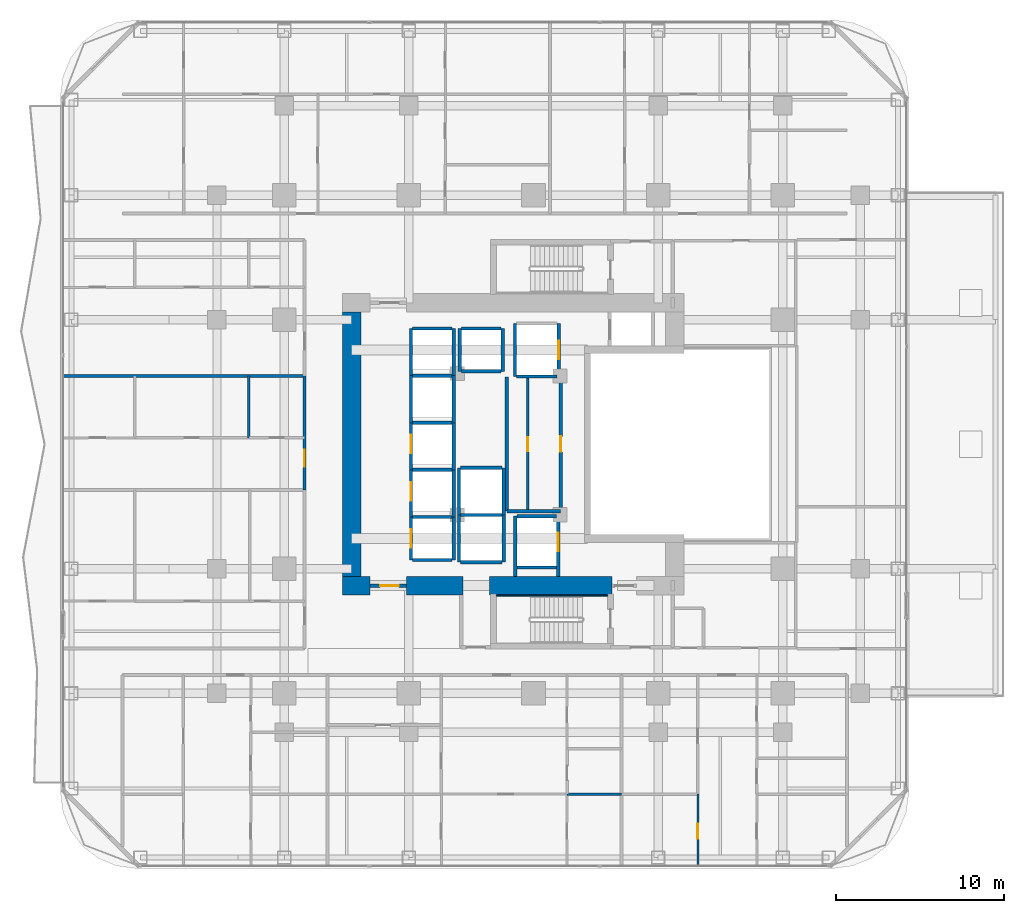
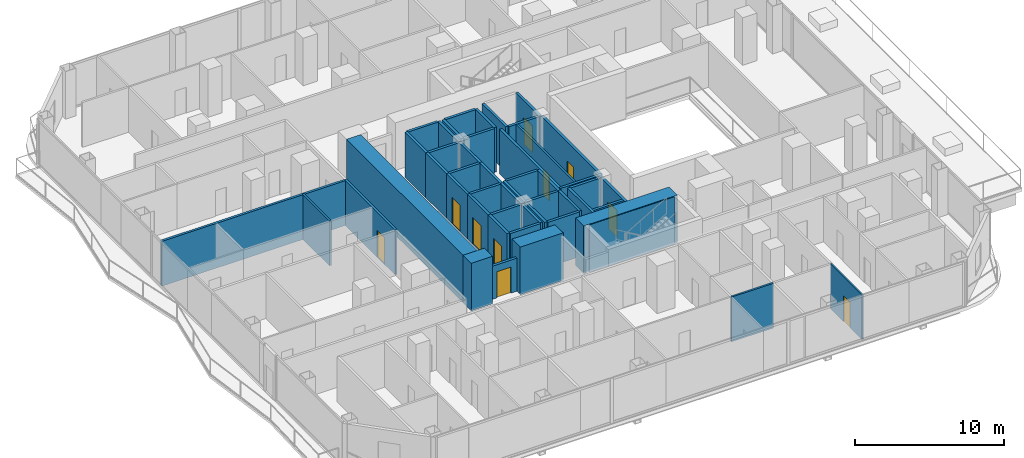
# One storey, part 21 of 29: 49 walls, 10 doors, 10 openings.
"""IFC4 building model written with IfcOpenShell, lengths in metres."""

from ifc_helpers import new_model, si_unit, direction, frame, frame_2d, origin, place, context, subcontext, project, spatial, rectangle, extrude, material, layer, layer_set, type_object, element, fill, save


model = new_model("IFC4")

# Units and contexts
model_context = context("Model", 3, precision=1e-05, world=origin(), true_north=direction((0.0, 1.0)))
body_context = subcontext(model_context, "Body", "Model", "MODEL_VIEW")
ifc_project = project(units=[si_unit("LENGTHUNIT", "METRE"), si_unit("AREAUNIT", "SQUARE_METRE"), si_unit("VOLUMEUNIT", "CUBIC_METRE"), si_unit("PLANEANGLEUNIT", "RADIAN"), si_unit("MASSUNIT", "GRAM", prefix="KILO")], contexts=[model_context])

# Site, building, storey
site_placement = place(None, origin())
site = spatial("IfcSite", under=ifc_project, at=site_placement, CompositionType="ELEMENT")
building_placement = place(site_placement, origin())
building = spatial("IfcBuilding", under=site, at=building_placement, Name="Khorvyn Point Tower", CompositionType="ELEMENT")
storey_placement = place(building_placement, frame((0.0, 0.0, 54.0)))
storey = spatial("IfcBuildingStorey", under=building, at=storey_placement, Name="L14", CompositionType="ELEMENT", Elevation=54.0)

# Wall, opening, door
ifc_material_1 = material(Name="Double acoustic gypsum on twin steel stud", Category="steel")
ifc_layer_1 = layer(ifc_material_1, 0.179931640625)
ifc_layer_set_1 = layer_set([ifc_layer_1], Name="Acoustic Double-Stud Apartment Demising Wall 180")
wall_type_1 = type_object("IfcWallType", Name="Acoustic Double-Stud Apartment Demising Wall 180", PredefinedType="PARTITIONING", material=ifc_layer_set_1)
wall_1_placement = place(storey_placement, frame((-13.60009765625, -2.73095703125, 0.0), z_axis=(0.0, 0.0, 1.0), x_axis=(0.0, 1.0, 0.0)))
wall_1 = element("IfcWall", 1, at=wall_1_placement, inside=storey, type_object=wall_type_1, Name="Wall", PredefinedType="PARTITIONING", context=body_context, shape_type="SweptSolid", body=[
    extrude(rectangle(XDim=6.77099609375, YDim=0.179931640625, at=frame_2d((3.385498046875, 0.0))), origin(), (0.0, 0.0, 1.0), 3.679931640625),
])
opening_1_placement = place(wall_1_placement, frame((1.390869140625, 0.0, 0.0)))
opening_1 = element("IfcOpeningElement", 2, at=opening_1_placement, cuts=wall_1, Name="Opening ID-AP60", PredefinedType="OPENING", context=body_context, shape_type="SweptSolid", body=[
    extrude(rectangle(XDim=1.0, YDim=2.199951171875, at=frame_2d((0.5, 1.10009765625))), frame((0.0, 0.099853515625, 0.0), z_axis=(0.0, -1.0, 0.0), x_axis=(1.0, 0.0, 0.0)), (0.0, 0.0, 1.0), 0.199951171875),
])
ifc_material_2 = material(Name="Engineered hardwood fire-rated leaf", Category="wood")
door_type_1 = type_object("IfcDoorType", Name="Acoustic Solid-Core Timber Apartment Entrance Door 1000x2200", OperationType="NOTDEFINED", PredefinedType="DOOR", material=ifc_material_2)
door_1_placement = place(opening_1_placement, origin())
door_1 = element("IfcDoor", 3, at=door_1_placement, inside=storey, type_object=door_type_1, Name="Door", OperationType="SINGLE_SWING_RIGHT", OverallHeight=2.199951171875, OverallWidth=1.0, PredefinedType="DOOR", context=body_context, shape_type="SweptSolid", body=[
    extrude(rectangle(XDim=1.0, YDim=2.199951171875, at=frame_2d((0.5, 1.10009765625))), frame((0.0, 0.02490234375, 0.0), z_axis=(0.0, -1.0, 0.0), x_axis=(1.0, 0.0, 0.0)), (0.0, 0.0, 1.0), 0.050048828125),
])
fill(opening_1, door_1)

# Wall
wall_2_placement = place(storey_placement, frame((-27.929931640625, 4.0400390625, 0.0), z_axis=(0.0, 0.0, 1.0), x_axis=(1.0, 0.0, 0.0)))
element("IfcWall", 4, at=wall_2_placement, inside=storey, type_object=wall_type_1, Name="Wall", PredefinedType="PARTITIONING", context=body_context, shape_type="SweptSolid", body=[
    extrude(rectangle(XDim=14.329833984375, YDim=0.179931640625, at=frame_2d((7.1650390625, 0.0))), origin(), (0.0, 0.0, 1.0), 3.679931640625),
])

# Wall, opening, door
ifc_material_3 = material(Name="Concrete C40/50", Category="concrete")
ifc_layer_2 = layer(ifc_material_3, 0.199951171875)
ifc_layer_set_2 = layer_set([ifc_layer_2], Name="Concrete C40/50 Fire-Lobby Compartment Wall 200")
wall_type_2 = type_object("IfcWallType", Name="Concrete C40/50 Fire-Lobby Compartment Wall 200", PredefinedType="SOLIDWALL", material=ifc_layer_set_2)
wall_3_placement = place(storey_placement, frame((-9.699951171875, -8.39990234375, 0.0), z_axis=(0.0, 0.0, 1.0), x_axis=(1.0, 0.0, 0.0)))
wall_3 = element("IfcWall", 5, at=wall_3_placement, inside=storey, type_object=wall_type_2, Name="Wall", PredefinedType="SOLIDWALL", context=body_context, shape_type="SweptSolid", body=[
    extrude(rectangle(XDim=2.14990234375, YDim=0.199951171875, at=frame_2d((1.074951171875, 0.0))), origin(), (0.0, 0.0, 1.0), 2.719970703125),
])
opening_2_placement = place(wall_3_placement, frame((0.597900390625, 0.0, 0.0)))
opening_2 = element("IfcOpeningElement", 6, at=opening_2_placement, cuts=wall_3, Name="Opening ID-FL90", PredefinedType="OPENING", context=body_context, shape_type="SweptSolid", body=[
    extrude(rectangle(XDim=1.10009765625, YDim=2.14990234375, at=frame_2d((0.550048828125, 1.074951171875))), frame((0.0, 0.10986328125, 0.0), z_axis=(0.0, -1.0, 0.0), x_axis=(1.0, 0.0, 0.0)), (0.0, 0.0, 1.0), 0.219970703125),
])
ifc_material_4 = material(Name="Galvanised powder-coated steel", Category="steel")
door_type_2 = type_object("IfcDoorType", Name="Fire-Rated Steel Lobby and Stair Door 1100x2150", OperationType="NOTDEFINED", PredefinedType="DOOR", material=ifc_material_4)
door_2_placement = place(opening_2_placement, origin())
door_2 = element("IfcDoor", 7, at=door_2_placement, inside=storey, type_object=door_type_2, Name="Door", OperationType="SINGLE_SWING_RIGHT", OverallHeight=2.14990234375, OverallWidth=1.10009765625, PredefinedType="DOOR", context=body_context, shape_type="SweptSolid", body=[
    extrude(rectangle(XDim=1.10009765625, YDim=2.14990234375, at=frame_2d((0.550048828125, 1.074951171875))), frame((0.0, 0.02490234375, 0.0), z_axis=(0.0, -1.0, 0.0), x_axis=(1.0, 0.0, 0.0)), (0.0, 0.0, 1.0), 0.050048828125),
])
fill(opening_2, door_2)

wall_4_placement = place(storey_placement, frame((1.610107421875, -3.97998046875, 0.0), z_axis=(0.0, 0.0, 1.0), x_axis=(0.0, 1.0, 0.0)))
wall_4 = element("IfcWall", 8, at=wall_4_placement, inside=storey, type_object=wall_type_2, Name="Wall", PredefinedType="SOLIDWALL", context=body_context, shape_type="SweptSolid", body=[
    extrude(rectangle(XDim=7.9599609375, YDim=0.199951171875, at=frame_2d((3.97998046875, 0.0))), origin(), (0.0, 0.0, 1.0), 3.679931640625),
])
opening_3_placement = place(wall_4_placement, frame((3.52001953125, 0.0, 0.0)))
opening_3 = element("IfcOpeningElement", 9, at=opening_3_placement, cuts=wall_4, Name="Opening ID-RS60", PredefinedType="OPENING", context=body_context, shape_type="SweptSolid", body=[
    extrude(rectangle(XDim=0.919921875, YDim=2.10009765625, at=frame_2d((0.4599609375, 1.050048828125))), frame((0.0, 0.10986328125, 0.0), z_axis=(0.0, -1.0, 0.0), x_axis=(1.0, 0.0, 0.0)), (0.0, 0.0, 1.0), 0.219970703125),
])
door_type_3 = type_object("IfcDoorType", Name="Fire-Rated Riser and Store Steel Door 920x2100", OperationType="NOTDEFINED", PredefinedType="DOOR", material=ifc_material_4)
door_3_placement = place(opening_3_placement, origin())
door_3 = element("IfcDoor", 10, at=door_3_placement, inside=storey, type_object=door_type_3, Name="Door", OperationType="SINGLE_SWING_RIGHT", OverallHeight=2.10009765625, OverallWidth=0.919921875, PredefinedType="DOOR", context=body_context, shape_type="SweptSolid", body=[
    extrude(rectangle(XDim=0.919921875, YDim=2.10009765625, at=frame_2d((0.4599609375, 1.050048828125))), frame((0.0, 0.02490234375, 0.0), z_axis=(0.0, -1.0, 0.0), x_axis=(1.0, 0.0, 0.0)), (0.0, 0.0, 1.0), 0.050048828125),
])
fill(opening_3, door_3)

# Walls
wall_5_placement = place(storey_placement, frame((-1.580078125, -3.97998046875, 0.0), z_axis=(0.0, 0.0, 1.0), x_axis=(0.0, 1.0, 0.0)))
element("IfcWall", 11, at=wall_5_placement, inside=storey, type_object=wall_type_2, Name="Wall", PredefinedType="SOLIDWALL", context=body_context, shape_type="SweptSolid", body=[
    extrude(rectangle(XDim=7.9599609375, YDim=0.199951171875, at=frame_2d((3.97998046875, 0.0))), origin(), (0.0, 0.0, 1.0), 3.679931640625),
])
wall_6_placement = place(storey_placement, frame((-1.580078125, -3.97998046875, 0.0), z_axis=(0.0, 0.0, 1.0), x_axis=(1.0, 0.0, 0.0)))
element("IfcWall", 12, at=wall_6_placement, inside=storey, type_object=wall_type_2, Name="Wall", PredefinedType="SOLIDWALL", context=body_context, shape_type="SweptSolid", body=[
    extrude(rectangle(XDim=3.190185546875, YDim=0.199951171875, at=frame_2d((1.59521484375, 0.0))), origin(), (0.0, 0.0, 1.0), 3.679931640625),
])
ifc_layer_3 = layer(ifc_material_3, 0.25)
ifc_layer_set_3 = layer_set([ifc_layer_3], Name="Concrete C40/50 Stair Inner Cheek Structural Wall 250")
wall_type_3 = type_object("IfcWallType", Name="Concrete C40/50 Stair Inner Cheek Structural Wall 250", PredefinedType="SHEAR", material=ifc_layer_set_3)
wall_7_placement = place(storey_placement, frame((-2.199951171875, -8.987548828125, 0.0), z_axis=(0.0, 0.0, 1.0), x_axis=(1.0, 0.0, 0.0)))
element("IfcWall", 13, at=wall_7_placement, inside=storey, type_object=wall_type_3, Name="Wall", PredefinedType="SHEAR", context=body_context, shape_type="SweptSolid", body=[
    extrude(rectangle(XDim=6.599853515625, YDim=0.074951171875, at=frame_2d((3.2998046875, 0.0))), origin(), (0.0, 0.0, 1.0), 3.89990234375),
])

# Wall, opening, door
ifc_layer_4 = layer(ifc_material_3, 0.199951171875)
ifc_layer_set_4 = layer_set([ifc_layer_4], Name="Concrete C40/50 Structural Hoistway and Stair Shaft Wall 200")
wall_type_4 = type_object("IfcWallType", Name="Concrete C40/50 Structural Hoistway and Stair Shaft Wall 200", PredefinedType="SHEAR", material=ifc_layer_set_4)
wall_8_placement = place(storey_placement, frame((-7.27490234375, -6.875, 0.0), z_axis=(0.0, 0.0, 1.0), x_axis=(0.0, 1.0, 0.0)))
wall_8 = element("IfcWall", 14, at=wall_8_placement, inside=storey, type_object=wall_type_4, Name="Wall", PredefinedType="SHEAR", context=body_context, shape_type="SweptSolid", body=[
    extrude(rectangle(XDim=2.550048828125, YDim=0.199951171875, at=frame_2d((1.27490234375, 0.0))), origin(), (0.0, 0.0, 1.0), 3.679931640625),
])
opening_4_placement = place(wall_8_placement, frame((0.72509765625, 0.0, 0.0)))
opening_4 = element("IfcOpeningElement", 15, at=opening_4_placement, cuts=wall_8, Name="Opening LD-1122", PredefinedType="OPENING", context=body_context, shape_type="SweptSolid", body=[
    extrude(rectangle(XDim=1.10009765625, YDim=2.199951171875, at=frame_2d((0.550048828125, 1.10009765625))), frame((0.0, 0.10986328125, 0.0), z_axis=(0.0, -1.0, 0.0), x_axis=(1.0, 0.0, 0.0)), (0.0, 0.0, 1.0), 0.219970703125),
])
ifc_material_5 = material(Name="Stainless steel 1.4301", Category="steel")
door_type_4 = type_object("IfcDoorType", Name="Stainless Steel Automatic Sliding Lift Landing Door 1100x2200", OperationType="SLIDING_TO_LEFT", PredefinedType="DOOR", material=ifc_material_5)
door_4_placement = place(opening_4_placement, origin())
door_4 = element("IfcDoor", 16, at=door_4_placement, inside=storey, type_object=door_type_4, Name="L14 RL-01 Sliding Lift Landing Door", OperationType="SLIDING_TO_LEFT", OverallHeight=2.199951171875, OverallWidth=1.10009765625, PredefinedType="DOOR", context=body_context, shape_type="SweptSolid", body=[
    extrude(rectangle(XDim=1.10009765625, YDim=2.199951171875, at=frame_2d((0.550048828125, 1.10009765625))), frame((0.0, 0.02490234375, 0.0), z_axis=(0.0, -1.0, 0.0), x_axis=(1.0, 0.0, 0.0)), (0.0, 0.0, 1.0), 0.050048828125),
])
fill(opening_4, door_4)

# Walls
wall_9_placement = place(storey_placement, frame((-4.72509765625, -6.875, 0.0), z_axis=(0.0, 0.0, 1.0), x_axis=(0.0, 1.0, 0.0)))
element("IfcWall", 17, at=wall_9_placement, inside=storey, type_object=wall_type_4, Name="Wall", PredefinedType="SHEAR", context=body_context, shape_type="SweptSolid", body=[
    extrude(rectangle(XDim=2.550048828125, YDim=0.199951171875, at=frame_2d((1.27490234375, 0.0))), origin(), (0.0, 0.0, 1.0), 3.679931640625),
])
for number, where, z_axis, x_axis, name in (
    (18, (-7.175048828125, -6.875, 0.0), (0.0, 0.0, 1.0), (1.0, 0.0, 0.0), "Wall"),
    (19, (-7.175048828125, -4.324951171875, 0.0), (0.0, 0.0, 1.0), (1.0, 0.0, 0.0), "Wall"),
):
    element("IfcWall", number, at=place(storey_placement, frame(where, z_axis=z_axis, x_axis=x_axis)), inside=storey, type_object=wall_type_4, Name=name, PredefinedType="SHEAR", context=body_context, shape_type="SweptSolid", body=[
        extrude(rectangle(XDim=2.35009765625, YDim=0.199951171875, at=frame_2d((1.175048828125, 0.0))), origin(), (0.0, 0.0, 1.0), 3.679931640625),
    ])

# Wall, opening, door
wall_10_placement = place(storey_placement, frame((-7.27490234375, -4.324951171875, 0.0), z_axis=(0.0, 0.0, 1.0), x_axis=(0.0, 1.0, 0.0)))
wall_10 = element("IfcWall", 20, at=wall_10_placement, inside=storey, type_object=wall_type_4, Name="Wall", PredefinedType="SHEAR", context=body_context, shape_type="SweptSolid", body=[
    extrude(rectangle(XDim=2.800048828125, YDim=0.199951171875, at=frame_2d((1.39990234375, 0.0))), origin(), (0.0, 0.0, 1.0), 3.679931640625),
])
opening_5_placement = place(wall_10_placement, frame((0.97509765625, 0.0, 0.0)))
opening_5 = element("IfcOpeningElement", 21, at=opening_5_placement, cuts=wall_10, Name="Opening LD-1122", PredefinedType="OPENING", context=body_context, shape_type="SweptSolid", body=[
    extrude(rectangle(XDim=1.10009765625, YDim=2.199951171875, at=frame_2d((0.550048828125, 1.10009765625))), frame((0.0, 0.10986328125, 0.0), z_axis=(0.0, -1.0, 0.0), x_axis=(1.0, 0.0, 0.0)), (0.0, 0.0, 1.0), 0.219970703125),
])
door_5_placement = place(opening_5_placement, origin())
door_5 = element("IfcDoor", 22, at=door_5_placement, inside=storey, type_object=door_type_4, Name="L14 RL-02 Sliding Lift Landing Door", OperationType="SLIDING_TO_LEFT", OverallHeight=2.199951171875, OverallWidth=1.10009765625, PredefinedType="DOOR", context=body_context, shape_type="SweptSolid", body=[
    extrude(rectangle(XDim=1.10009765625, YDim=2.199951171875, at=frame_2d((0.550048828125, 1.10009765625))), frame((0.0, 0.02490234375, 0.0), z_axis=(0.0, -1.0, 0.0), x_axis=(1.0, 0.0, 0.0)), (0.0, 0.0, 1.0), 0.050048828125),
])
fill(opening_5, door_5)

# Walls
wall_11_placement = place(storey_placement, frame((-4.72509765625, -4.324951171875, 0.0), z_axis=(0.0, 0.0, 1.0), x_axis=(0.0, 1.0, 0.0)))
element("IfcWall", 23, at=wall_11_placement, inside=storey, type_object=wall_type_4, Name="Wall", PredefinedType="SHEAR", context=body_context, shape_type="SweptSolid", body=[
    extrude(rectangle(XDim=2.800048828125, YDim=0.199951171875, at=frame_2d((1.39990234375, 0.0))), origin(), (0.0, 0.0, 1.0), 3.679931640625),
])
wall_12_placement = place(storey_placement, frame((-7.175048828125, -1.52490234375, 0.0), z_axis=(0.0, 0.0, 1.0), x_axis=(1.0, 0.0, 0.0)))
element("IfcWall", 24, at=wall_12_placement, inside=storey, type_object=wall_type_4, Name="Wall", PredefinedType="SHEAR", context=body_context, shape_type="SweptSolid", body=[
    extrude(rectangle(XDim=2.35009765625, YDim=0.199951171875, at=frame_2d((1.175048828125, 0.0))), origin(), (0.0, 0.0, 1.0), 3.679931640625),
])

# Wall, opening, door
wall_13_placement = place(storey_placement, frame((-7.27490234375, -1.52490234375, 0.0), z_axis=(0.0, 0.0, 1.0), x_axis=(0.0, 1.0, 0.0)))
wall_13 = element("IfcWall", 25, at=wall_13_placement, inside=storey, type_object=wall_type_4, Name="Wall", PredefinedType="SHEAR", context=body_context, shape_type="SweptSolid", body=[
    extrude(rectangle(XDim=2.7998046875, YDim=0.199951171875, at=frame_2d((1.39990234375, 0.0))), origin(), (0.0, 0.0, 1.0), 3.679931640625),
])
opening_6_placement = place(wall_13_placement, frame((0.97509765625, 0.0, 0.0)))
opening_6 = element("IfcOpeningElement", 26, at=opening_6_placement, cuts=wall_13, Name="Opening LD-1122", PredefinedType="OPENING", context=body_context, shape_type="SweptSolid", body=[
    extrude(rectangle(XDim=1.10009765625, YDim=2.199951171875, at=frame_2d((0.550048828125, 1.10009765625))), frame((0.0, 0.10986328125, 0.0), z_axis=(0.0, -1.0, 0.0), x_axis=(1.0, 0.0, 0.0)), (0.0, 0.0, 1.0), 0.219970703125),
])
door_6_placement = place(opening_6_placement, origin())
door_6 = element("IfcDoor", 27, at=door_6_placement, inside=storey, type_object=door_type_4, Name="L14 RL-03 Sliding Lift Landing Door", OperationType="SLIDING_TO_LEFT", OverallHeight=2.199951171875, OverallWidth=1.10009765625, PredefinedType="DOOR", context=body_context, shape_type="SweptSolid", body=[
    extrude(rectangle(XDim=1.10009765625, YDim=2.199951171875, at=frame_2d((0.550048828125, 1.10009765625))), frame((0.0, 0.02490234375, 0.0), z_axis=(0.0, -1.0, 0.0), x_axis=(1.0, 0.0, 0.0)), (0.0, 0.0, 1.0), 0.050048828125),
])
fill(opening_6, door_6)

# Walls
wall_14_placement = place(storey_placement, frame((-4.72509765625, -1.52490234375, 0.0), z_axis=(0.0, 0.0, 1.0), x_axis=(0.0, 1.0, 0.0)))
element("IfcWall", 28, at=wall_14_placement, inside=storey, type_object=wall_type_4, Name="Wall", PredefinedType="SHEAR", context=body_context, shape_type="SweptSolid", body=[
    extrude(rectangle(XDim=2.7998046875, YDim=0.199951171875, at=frame_2d((1.39990234375, 0.0))), origin(), (0.0, 0.0, 1.0), 3.679931640625),
])
wall_15_placement = place(storey_placement, frame((-7.175048828125, 1.27490234375, 0.0), z_axis=(0.0, 0.0, 1.0), x_axis=(1.0, 0.0, 0.0)))
element("IfcWall", 29, at=wall_15_placement, inside=storey, type_object=wall_type_4, Name="Wall", PredefinedType="SHEAR", context=body_context, shape_type="SweptSolid", body=[
    extrude(rectangle(XDim=2.35009765625, YDim=0.199951171875, at=frame_2d((1.175048828125, 0.0))), origin(), (0.0, 0.0, 1.0), 3.679931640625),
])
for number, where, z_axis, x_axis, name in (
    (30, (-7.27490234375, 1.27490234375, 0.0), (0.0, 0.0, 1.0), (0.0, 1.0, 0.0), "Wall"),
    (31, (-4.72509765625, 1.27490234375, 0.0), (0.0, 0.0, 1.0), (0.0, 1.0, 0.0), "Wall"),
):
    element("IfcWall", number, at=place(storey_placement, frame(where, z_axis=z_axis, x_axis=x_axis)), inside=storey, type_object=wall_type_4, Name=name, PredefinedType="SHEAR", context=body_context, shape_type="SweptSolid", body=[
        extrude(rectangle(XDim=2.800048828125, YDim=0.199951171875, at=frame_2d((1.39990234375, 0.0))), origin(), (0.0, 0.0, 1.0), 3.679931640625),
    ])
wall_16_placement = place(storey_placement, frame((-7.175048828125, 4.074951171875, 0.0), z_axis=(0.0, 0.0, 1.0), x_axis=(1.0, 0.0, 0.0)))
element("IfcWall", 32, at=wall_16_placement, inside=storey, type_object=wall_type_4, Name="Wall", PredefinedType="SHEAR", context=body_context, shape_type="SweptSolid", body=[
    extrude(rectangle(XDim=2.35009765625, YDim=0.199951171875, at=frame_2d((1.175048828125, 0.0))), origin(), (0.0, 0.0, 1.0), 3.679931640625),
])
for number, where, z_axis, x_axis, name in (
    (33, (-7.27490234375, 4.074951171875, 0.0), (0.0, 0.0, 1.0), (0.0, 1.0, 0.0), "Wall"),
    (34, (-4.72509765625, 4.074951171875, 0.0), (0.0, 0.0, 1.0), (0.0, 1.0, 0.0), "Wall"),
):
    element("IfcWall", number, at=place(storey_placement, frame(where, z_axis=z_axis, x_axis=x_axis)), inside=storey, type_object=wall_type_4, Name=name, PredefinedType="SHEAR", context=body_context, shape_type="SweptSolid", body=[
        extrude(rectangle(XDim=2.800048828125, YDim=0.199951171875, at=frame_2d((1.39990234375, 0.0))), origin(), (0.0, 0.0, 1.0), 3.679931640625),
    ])
wall_17_placement = place(storey_placement, frame((-7.175048828125, 6.875, 0.0), z_axis=(0.0, 0.0, 1.0), x_axis=(1.0, 0.0, 0.0)))
element("IfcWall", 35, at=wall_17_placement, inside=storey, type_object=wall_type_4, Name="Wall", PredefinedType="SHEAR", context=body_context, shape_type="SweptSolid", body=[
    extrude(rectangle(XDim=2.35009765625, YDim=0.199951171875, at=frame_2d((1.175048828125, 0.0))), origin(), (0.0, 0.0, 1.0), 3.679931640625),
])
for number, where, z_axis, x_axis, name in (
    (36, (-4.375, 4.324951171875, 0.0), (0.0, 0.0, 1.0), (0.0, 1.0, 0.0), "Wall"),
    (37, (-1.824951171875, 4.324951171875, 0.0), (0.0, 0.0, 1.0), (0.0, 1.0, 0.0), "Wall"),
):
    element("IfcWall", number, at=place(storey_placement, frame(where, z_axis=z_axis, x_axis=x_axis)), inside=storey, type_object=wall_type_4, Name=name, PredefinedType="SHEAR", context=body_context, shape_type="SweptSolid", body=[
        extrude(rectangle(XDim=2.550048828125, YDim=0.199951171875, at=frame_2d((1.27490234375, 0.0))), origin(), (0.0, 0.0, 1.0), 3.679931640625),
    ])
for number, where, z_axis, x_axis, name in (
    (38, (-4.27490234375, 4.324951171875, 0.0), (0.0, 0.0, 1.0), (1.0, 0.0, 0.0), "Wall"),
    (39, (-4.27490234375, 6.875, 0.0), (0.0, 0.0, 1.0), (1.0, 0.0, 0.0), "Wall"),
):
    element("IfcWall", number, at=place(storey_placement, frame(where, z_axis=z_axis, x_axis=x_axis)), inside=storey, type_object=wall_type_4, Name=name, PredefinedType="SHEAR", context=body_context, shape_type="SweptSolid", body=[
        extrude(rectangle(XDim=2.349853515625, YDim=0.199951171875, at=frame_2d((1.1748046875, 0.0))), origin(), (0.0, 0.0, 1.0), 3.679931640625),
    ])
for number, where, z_axis, x_axis, name in (
    (40, (-4.425048828125, -7.0, 0.0), (0.0, 0.0, 1.0), (0.0, 1.0, 0.0), "Wall"),
    (41, (-1.77490234375, -7.0, 0.0), (0.0, 0.0, 1.0), (0.0, 1.0, 0.0), "Wall"),
):
    element("IfcWall", number, at=place(storey_placement, frame(where, z_axis=z_axis, x_axis=x_axis)), inside=storey, type_object=wall_type_4, Name=name, PredefinedType="SHEAR", context=body_context, shape_type="SweptSolid", body=[
        extrude(rectangle(XDim=2.800048828125, YDim=0.199951171875, at=frame_2d((1.39990234375, 0.0))), origin(), (0.0, 0.0, 1.0), 3.679931640625),
    ])
for number, where, z_axis, x_axis, name in (
    (42, (-4.324951171875, -7.0, 0.0), (0.0, 0.0, 1.0), (1.0, 0.0, 0.0), "Wall"),
    (43, (-4.324951171875, -4.199951171875, 0.0), (0.0, 0.0, 1.0), (1.0, 0.0, 0.0), "Wall"),
):
    element("IfcWall", number, at=place(storey_placement, frame(where, z_axis=z_axis, x_axis=x_axis)), inside=storey, type_object=wall_type_4, Name=name, PredefinedType="SHEAR", context=body_context, shape_type="SweptSolid", body=[
        extrude(rectangle(XDim=2.449951171875, YDim=0.199951171875, at=frame_2d((1.22509765625, 0.0))), origin(), (0.0, 0.0, 1.0), 3.679931640625),
    ])
for number, where, z_axis, x_axis, name in (
    (44, (-4.425048828125, -4.199951171875, 0.0), (0.0, 0.0, 1.0), (0.0, 1.0, 0.0), "Wall"),
    (45, (-1.77490234375, -4.199951171875, 0.0), (0.0, 0.0, 1.0), (0.0, 1.0, 0.0), "Wall"),
):
    element("IfcWall", number, at=place(storey_placement, frame(where, z_axis=z_axis, x_axis=x_axis)), inside=storey, type_object=wall_type_4, Name=name, PredefinedType="SHEAR", context=body_context, shape_type="SweptSolid", body=[
        extrude(rectangle(XDim=2.800048828125, YDim=0.199951171875, at=frame_2d((1.39990234375, 0.0))), origin(), (0.0, 0.0, 1.0), 3.679931640625),
    ])
wall_18_placement = place(storey_placement, frame((-4.324951171875, -1.39990234375, 0.0), z_axis=(0.0, 0.0, 1.0), x_axis=(1.0, 0.0, 0.0)))
element("IfcWall", 46, at=wall_18_placement, inside=storey, type_object=wall_type_4, Name="Wall", PredefinedType="SHEAR", context=body_context, shape_type="SweptSolid", body=[
    extrude(rectangle(XDim=2.449951171875, YDim=0.199951171875, at=frame_2d((1.22509765625, 0.0))), origin(), (0.0, 0.0, 1.0), 3.679931640625),
])
wall_19_placement = place(storey_placement, frame((-1.10009765625, 4.02490234375, 0.0), z_axis=(0.0, 0.0, 1.0), x_axis=(0.0, 1.0, 0.0)))
element("IfcWall", 47, at=wall_19_placement, inside=storey, type_object=wall_type_4, Name="Wall", PredefinedType="SHEAR", context=body_context, shape_type="SweptSolid", body=[
    extrude(rectangle(XDim=3.150146484375, YDim=0.199951171875, at=frame_2d((1.5751953125, 0.0))), origin(), (0.0, 0.0, 1.0), 3.679931640625),
])

# Wall, opening, door
wall_20_placement = place(storey_placement, frame((1.5, 4.02490234375, 0.0), z_axis=(0.0, 0.0, 1.0), x_axis=(0.0, 1.0, 0.0)))
wall_20 = element("IfcWall", 48, at=wall_20_placement, inside=storey, type_object=wall_type_4, Name="Wall", PredefinedType="SHEAR", context=body_context, shape_type="SweptSolid", body=[
    extrude(rectangle(XDim=3.150146484375, YDim=0.199951171875, at=frame_2d((1.5751953125, 0.0))), origin(), (0.0, 0.0, 1.0), 3.679931640625),
])
opening_7_placement = place(wall_20_placement, frame((1.02490234375, 0.0, 0.0)))
opening_7 = element("IfcOpeningElement", 49, at=opening_7_placement, cuts=wall_20, Name="Opening LD-1122", PredefinedType="OPENING", context=body_context, shape_type="SweptSolid", body=[
    extrude(rectangle(XDim=1.10009765625, YDim=2.199951171875, at=frame_2d((0.550048828125, 1.10009765625))), frame((0.0, 0.10986328125, 0.0), z_axis=(0.0, -1.0, 0.0), x_axis=(1.0, 0.0, 0.0)), (0.0, 0.0, 1.0), 0.219970703125),
])
door_7_placement = place(opening_7_placement, origin())
door_7 = element("IfcDoor", 50, at=door_7_placement, inside=storey, type_object=door_type_4, Name="L14 SV-01 Sliding Lift Landing Door", OperationType="SLIDING_TO_LEFT", OverallHeight=2.199951171875, OverallWidth=1.10009765625, PredefinedType="DOOR", context=body_context, shape_type="SweptSolid", body=[
    extrude(rectangle(XDim=1.10009765625, YDim=2.199951171875, at=frame_2d((0.550048828125, 1.10009765625))), frame((0.0, 0.02490234375, 0.0), z_axis=(0.0, -1.0, 0.0), x_axis=(1.0, 0.0, 0.0)), (0.0, 0.0, 1.0), 0.050048828125),
])
fill(opening_7, door_7)

# Walls
wall_21_placement = place(storey_placement, frame((-1.0, 4.02490234375, 0.0), z_axis=(0.0, 0.0, 1.0), x_axis=(1.0, 0.0, 0.0)))
element("IfcWall", 51, at=wall_21_placement, inside=storey, type_object=wall_type_4, Name="Wall", PredefinedType="SHEAR", context=body_context, shape_type="SweptSolid", body=[
    extrude(rectangle(XDim=2.39990234375, YDim=0.199951171875, at=frame_2d((1.199951171875, 0.0))), origin(), (0.0, 0.0, 1.0), 3.679931640625),
])
wall_22_placement = place(storey_placement, frame((-1.074951171875, -7.85009765625, 0.0), z_axis=(0.0, 0.0, 1.0), x_axis=(0.0, 1.0, 0.0)))
element("IfcWall", 52, at=wall_22_placement, inside=storey, type_object=wall_type_4, Name="Wall", PredefinedType="SHEAR", context=body_context, shape_type="SweptSolid", body=[
    extrude(rectangle(XDim=3.5751953125, YDim=0.199951171875, at=frame_2d((1.78759765625, 0.0))), origin(), (0.0, 0.0, 1.0), 3.679931640625),
])

# Wall, opening, door
wall_23_placement = place(storey_placement, frame((1.47509765625, -7.85009765625, 0.0), z_axis=(0.0, 0.0, 1.0), x_axis=(0.0, 1.0, 0.0)))
wall_23 = element("IfcWall", 53, at=wall_23_placement, inside=storey, type_object=wall_type_4, Name="Wall", PredefinedType="SHEAR", context=body_context, shape_type="SweptSolid", body=[
    extrude(rectangle(XDim=3.5751953125, YDim=0.199951171875, at=frame_2d((1.78759765625, 0.0))), origin(), (0.0, 0.0, 1.0), 3.679931640625),
])
opening_8_placement = place(wall_23_placement, frame((1.5, 0.0, 0.0)))
opening_8 = element("IfcOpeningElement", 54, at=opening_8_placement, cuts=wall_23, Name="Opening LD-1122", PredefinedType="OPENING", context=body_context, shape_type="SweptSolid", body=[
    extrude(rectangle(XDim=1.10009765625, YDim=2.199951171875, at=frame_2d((0.550048828125, 1.10009765625))), frame((0.0, 0.10986328125, 0.0), z_axis=(0.0, -1.0, 0.0), x_axis=(1.0, 0.0, 0.0)), (0.0, 0.0, 1.0), 0.219970703125),
])
door_8_placement = place(opening_8_placement, origin())
door_8 = element("IfcDoor", 55, at=door_8_placement, inside=storey, type_object=door_type_4, Name="L14 FF-01 Sliding Lift Landing Door", OperationType="SLIDING_TO_LEFT", OverallHeight=2.199951171875, OverallWidth=1.10009765625, PredefinedType="DOOR", context=body_context, shape_type="SweptSolid", body=[
    extrude(rectangle(XDim=1.10009765625, YDim=2.199951171875, at=frame_2d((0.550048828125, 1.10009765625))), frame((0.0, 0.02490234375, 0.0), z_axis=(0.0, -1.0, 0.0), x_axis=(1.0, 0.0, 0.0)), (0.0, 0.0, 1.0), 0.050048828125),
])
fill(opening_8, door_8)

# Walls
for number, where, z_axis, x_axis, name in (
    (56, (-0.97509765625, -7.324951171875, 0.0), (0.0, 0.0, 1.0), (1.0, 0.0, 0.0), "Wall"),
    (57, (-0.97509765625, -4.27490234375, 0.0), (0.0, 0.0, 1.0), (1.0, 0.0, 0.0), "Wall"),
):
    element("IfcWall", number, at=place(storey_placement, frame(where, z_axis=z_axis, x_axis=x_axis)), inside=storey, type_object=wall_type_4, Name=name, PredefinedType="SHEAR", context=body_context, shape_type="SweptSolid", body=[
        extrude(rectangle(XDim=2.35009765625, YDim=0.199951171875, at=frame_2d((1.175048828125, 0.0))), origin(), (0.0, 0.0, 1.0), 3.679931640625),
    ])
ifc_material_6 = material(Name="Concrete C50/60", Category="concrete")
ifc_layer_5 = layer(ifc_material_6, 1.10009765625)
ifc_layer_set_5 = layer_set([ifc_layer_5], Name="Concrete C50/60 Core Shear Wall 1100")
wall_type_5 = type_object("IfcWallType", Name="Concrete C50/60 Core Shear Wall 1100", PredefinedType="SHEAR", material=ifc_layer_set_5)
wall_24_placement = place(storey_placement, frame((-11.35009765625, -8.39990234375, 0.0), z_axis=(0.0, 0.0, 1.0), x_axis=(1.0, 0.0, 0.0)))
element("IfcWall", 58, at=wall_24_placement, inside=storey, type_object=wall_type_5, Name="Wall", PredefinedType="SHEAR", context=body_context, shape_type="SweptSolid", body=[
    extrude(rectangle(XDim=1.650146484375, YDim=1.10009765625, at=frame_2d((0.8251953125, 0.0))), origin(), (0.0, 0.0, 1.0), 3.89990234375),
])
wall_25_placement = place(storey_placement, frame((-7.550048828125, -8.39990234375, 0.0), z_axis=(0.0, 0.0, 1.0), x_axis=(1.0, 0.0, 0.0)))
element("IfcWall", 59, at=wall_25_placement, inside=storey, type_object=wall_type_5, Name="Wall", PredefinedType="SHEAR", context=body_context, shape_type="SweptSolid", body=[
    extrude(rectangle(XDim=3.35009765625, YDim=1.10009765625, at=frame_2d((1.675048828125, 0.0))), origin(), (0.0, 0.0, 1.0), 3.89990234375),
])
wall_26_placement = place(storey_placement, frame((-2.6201171875, -8.39990234375, 0.0), z_axis=(0.0, 0.0, 1.0), x_axis=(1.0, 0.0, 0.0)))
element("IfcWall", 60, at=wall_26_placement, inside=storey, type_object=wall_type_5, Name="Wall", PredefinedType="SHEAR", context=body_context, shape_type="SweptSolid", body=[
    extrude(rectangle(XDim=7.27001953125, YDim=1.10009765625, at=frame_2d((3.635009765625, 0.0))), origin(), (0.0, 0.0, 1.0), 3.89990234375),
])
wall_27_placement = place(storey_placement, frame((-10.800048828125, -7.85009765625, 0.0), z_axis=(0.0, 0.0, 1.0), x_axis=(0.0, 1.0, 0.0)))
element("IfcWall", 61, at=wall_27_placement, inside=storey, type_object=wall_type_5, Name="Wall", PredefinedType="SHEAR", context=body_context, shape_type="SweptSolid", body=[
    extrude(rectangle(XDim=15.7001953125, YDim=1.10009765625, at=frame_2d((7.85009765625, 0.0))), origin(), (0.0, 0.0, 1.0), 3.89990234375),
])

# Wall, opening, door
ifc_material_7 = material(Name="Gypsum plasterboard on steel stud", Category="steel")
ifc_layer_6 = layer(ifc_material_7, 0.1201171875)
ifc_layer_set_6 = layer_set([ifc_layer_6], Name="Gypsum Acoustic Stud Room Partition Wall 120")
wall_type_6 = type_object("IfcWallType", Name="Gypsum Acoustic Stud Room Partition Wall 120", PredefinedType="PARTITIONING", material=ifc_layer_set_6)
wall_28_placement = place(storey_placement, frame((9.763916015625, -25.030029296875, 0.0), z_axis=(0.0, 0.0, 1.0), x_axis=(0.0, 1.0, 0.0)))
wall_28 = element("IfcWall", 62, at=wall_28_placement, inside=storey, type_object=wall_type_6, Name="Wall", PredefinedType="PARTITIONING", context=body_context, shape_type="SweptSolid", body=[
    extrude(rectangle(XDim=4.239990234375, YDim=0.1201171875, at=frame_2d((2.1201171875, 0.0))), origin(), (0.0, 0.0, 1.0), 3.679931640625),
])
opening_9_placement = place(wall_28_placement, frame((1.581298828125, 0.0, 0.0)))
opening_9 = element("IfcOpeningElement", 63, at=opening_9_placement, cuts=wall_28, Name="Opening ID-RM90", PredefinedType="OPENING", context=body_context, shape_type="SweptSolid", body=[
    extrude(rectangle(XDim=0.89990234375, YDim=2.10009765625, at=frame_2d((0.449951171875, 1.050048828125))), frame((0.0, 0.070068359375, 0.0), z_axis=(0.0, -1.0, 0.0), x_axis=(1.0, 0.0, 0.0)), (0.0, 0.0, 1.0), 0.14013671875),
])
ifc_material_8 = material(Name="Engineered oak veneer timber", Category="wood")
door_type_5 = type_object("IfcDoorType", Name="Flush Engineered Timber Room Door 900x2100", OperationType="NOTDEFINED", PredefinedType="DOOR", material=ifc_material_8)
door_9_placement = place(opening_9_placement, origin())
door_9 = element("IfcDoor", 64, at=door_9_placement, inside=storey, type_object=door_type_5, Name="Door", OperationType="SINGLE_SWING_RIGHT", OverallHeight=2.10009765625, OverallWidth=0.89990234375, PredefinedType="DOOR", context=body_context, shape_type="SweptSolid", body=[
    extrude(rectangle(XDim=0.89990234375, YDim=2.10009765625, at=frame_2d((0.449951171875, 1.050048828125))), frame((0.0, 0.02490234375, 0.0), z_axis=(0.0, -1.0, 0.0), x_axis=(1.0, 0.0, 0.0)), (0.0, 0.0, 1.0), 0.050048828125),
])
fill(opening_9, door_9)

ifc_material_9 = material(Name="Moisture-resistant gypsum and cement board", Category="gypsum")
ifc_layer_7 = layer(ifc_material_9, 0.14990234375)
ifc_layer_set_7 = layer_set([ifc_layer_7], Name="Moisture-Resistant Wet-Room Partition Wall 150")
wall_type_7 = type_object("IfcWallType", Name="Moisture-Resistant Wet-Room Partition Wall 150", PredefinedType="PARTITIONING", material=ifc_layer_set_7)
wall_29_placement = place(storey_placement, frame((-0.35009765625, -3.97998046875, 0.0), z_axis=(0.0, 0.0, 1.0), x_axis=(0.0, 1.0, 0.0)))
wall_29 = element("IfcWall", 65, at=wall_29_placement, inside=storey, type_object=wall_type_7, Name="Wall", PredefinedType="PARTITIONING", context=body_context, shape_type="SweptSolid", body=[
    extrude(rectangle(XDim=7.9599609375, YDim=0.14990234375, at=frame_2d((3.97998046875, 0.0))), origin(), (0.0, 0.0, 1.0), 3.679931640625),
])
opening_10_placement = place(wall_29_placement, frame((3.554931640625, 0.0, 0.0)))
opening_10 = element("IfcOpeningElement", 66, at=opening_10_placement, cuts=wall_29, Name="Opening ID-WC85", PredefinedType="OPENING", context=body_context, shape_type="SweptSolid", body=[
    extrude(rectangle(XDim=0.85009765625, YDim=2.10009765625, at=frame_2d((0.425048828125, 1.050048828125))), frame((0.0, 0.0849609375, 0.0), z_axis=(0.0, -1.0, 0.0), x_axis=(1.0, 0.0, 0.0)), (0.0, 0.0, 1.0), 0.169921875),
])
ifc_material_10 = material(Name="High-pressure laminate on moisture-resistant core", Category="wood")
door_type_6 = type_object("IfcDoorType", Name="Moisture-Resistant Accessible Washroom Door 850x2100", OperationType="NOTDEFINED", PredefinedType="DOOR", material=ifc_material_10)
door_10_placement = place(opening_10_placement, origin())
door_10 = element("IfcDoor", 67, at=door_10_placement, inside=storey, type_object=door_type_6, Name="Door", OperationType="SINGLE_SWING_LEFT", OverallHeight=2.10009765625, OverallWidth=0.85009765625, PredefinedType="DOOR", context=body_context, shape_type="SweptSolid", body=[
    extrude(rectangle(XDim=0.85009765625, YDim=2.10009765625, at=frame_2d((0.425048828125, 1.050048828125))), frame((0.0, 0.02490234375, 0.0), z_axis=(0.0, -1.0, 0.0), x_axis=(1.0, 0.0, 0.0)), (0.0, 0.0, 1.0), 0.050048828125),
])
fill(opening_10, door_10)

# Walls
wall_30_placement = place(storey_placement, frame((1.993896484375, -20.7900390625, 0.0), z_axis=(0.0, 0.0, 1.0), x_axis=(1.0, 0.0, 0.0)))
element("IfcWall", 68, at=wall_30_placement, inside=storey, type_object=wall_type_7, Name="Wall", PredefinedType="PARTITIONING", context=body_context, shape_type="SweptSolid", body=[
    extrude(rectangle(XDim=3.248046875, YDim=0.14990234375, at=frame_2d((1.6240234375, 0.0))), origin(), (0.0, 0.0, 1.0), 3.679931640625),
])
wall_31_placement = place(storey_placement, frame((-16.902099609375, 0.384033203125, 0.0), z_axis=(0.0, 0.0, 1.0), x_axis=(0.0, 1.0, 0.0)))
element("IfcWall", 69, at=wall_31_placement, inside=storey, type_object=wall_type_7, Name="Wall", PredefinedType="PARTITIONING", context=body_context, shape_type="SweptSolid", body=[
    extrude(rectangle(XDim=3.656005859375, YDim=0.14990234375, at=frame_2d((1.828125, 0.0))), origin(), (0.0, 0.0, 1.0), 3.679931640625),
])

save(model, "model.ifc")
